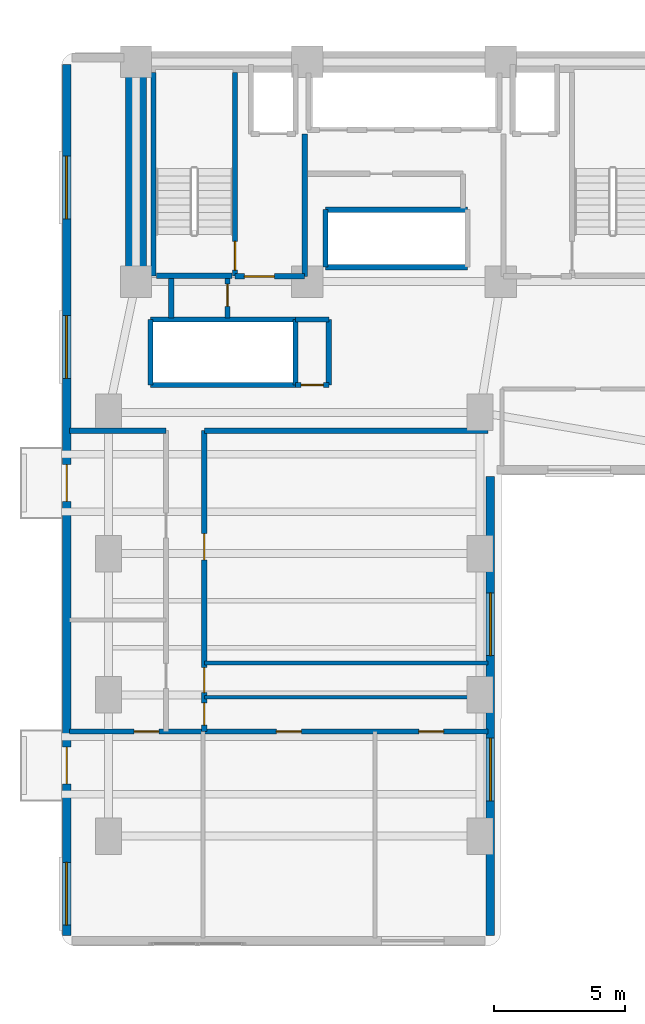
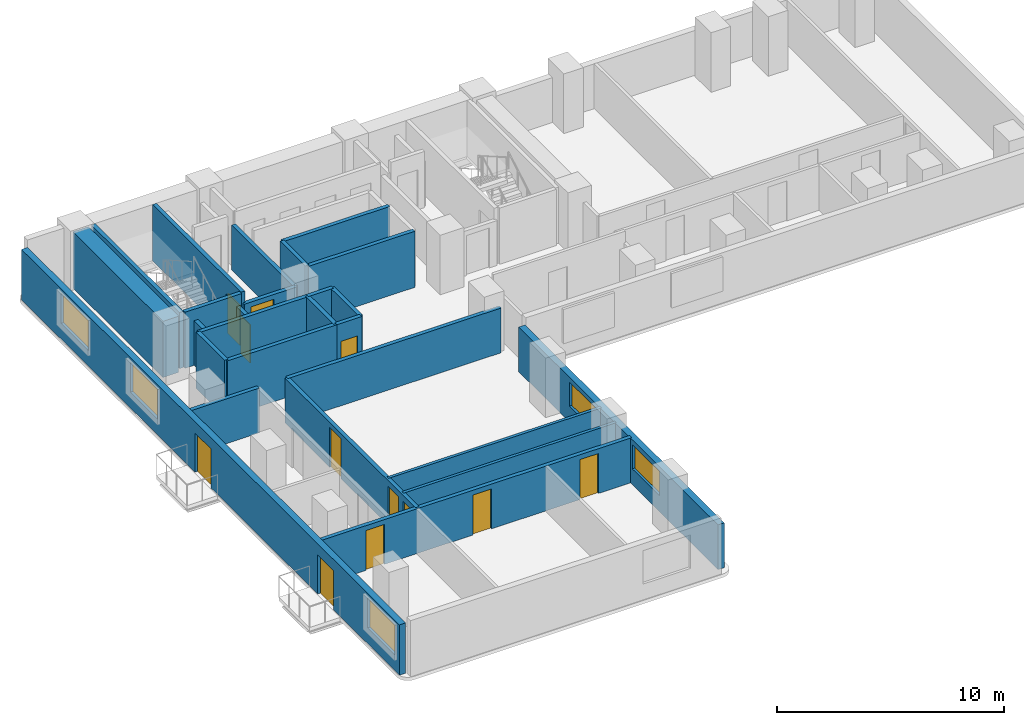
# One storey, part 9 of 15: 26 walls, 12 doors, 5 windows, 17 openings.
"""IFC4 building model written with IfcOpenShell, lengths in metres."""

from ifc_helpers import new_model, si_unit, direction, frame, frame_2d, origin, place, context, subcontext, project, spatial, rectangle, extrude, material, layer, layer_set, type_object, element, fill, save


model = new_model("IFC4")

# Units and contexts
model_context = context("Model", 3, precision=1e-05, world=origin(), true_north=direction((0.0, 1.0)))
body_context = subcontext(model_context, "Body", "Model", "MODEL_VIEW")
ifc_project = project(units=[si_unit("LENGTHUNIT", "METRE"), si_unit("AREAUNIT", "SQUARE_METRE"), si_unit("VOLUMEUNIT", "CUBIC_METRE"), si_unit("PLANEANGLEUNIT", "RADIAN"), si_unit("MASSUNIT", "GRAM", prefix="KILO")], contexts=[model_context])

# Site, building, storey
site_placement = place(None, origin())
site = spatial("IfcSite", under=ifc_project, at=site_placement, CompositionType="ELEMENT")
building_placement = place(site_placement, origin())
building = spatial("IfcBuilding", under=site, at=building_placement, Name="Kuzgunbayir Cultural Tower", CompositionType="ELEMENT")
storey_placement = place(building_placement, frame((0.0, 0.0, 59.60009765625)))
storey = spatial("IfcBuildingStorey", under=building, at=storey_placement, Name="L16", CompositionType="ELEMENT", Elevation=59.60009765625)

# Wall
ifc_material_1 = material(Name="Concrete C60/75", Category="concrete")
ifc_layer_1 = layer(ifc_material_1, 0.800048828125)
ifc_layer_set_1 = layer_set([ifc_layer_1], Name="Concrete C60/75")
wall_type_1 = type_object("IfcWallType", Name="WAL-CORE-800", PredefinedType="SHEAR", material=ifc_layer_set_1)
wall_1_placement = place(storey_placement, frame((6.449951171875, 33.800048828125, 0.0), z_axis=(0.0, 0.0, 1.0), x_axis=(0.0, 1.0, 0.0)))
element("IfcWall", 1, at=wall_1_placement, inside=storey, type_object=wall_type_1, Name="L16 T1 Core West Shear Wall", PredefinedType="SHEAR", context=body_context, shape_type="SweptSolid", body=[
    extrude(rectangle(XDim=7.949951171875, YDim=0.800048828125, at=frame_2d((3.97509765625, 0.0))), origin(), (0.0, 0.0, 1.0), 3.02001953125),
])

# Wall, openings, doors, windows
ifc_material_2 = material(Name="Travertine Buff Ashlar", Category="masonry")
ifc_layer_2 = layer(ifc_material_2, 0.320068359375)
ifc_layer_set_2 = layer_set([ifc_layer_2], Name="Travertine Buff Ashlar")
wall_type_2 = type_object("IfcWallType", Name="WAL-EXT-STONE-320", PredefinedType="STANDARD", material=ifc_layer_set_2)
wall_2_placement = place(storey_placement, frame((3.800048828125, 42.10009765625, 0.0), z_axis=(0.0, 0.0, 1.0), x_axis=(0.0, -1.0, 0.0)))
wall_2 = element("IfcWall", 2, at=wall_2_placement, inside=storey, type_object=wall_type_2, Name="L16 Wing A West Limestone Wall", PredefinedType="STANDARD", context=body_context, shape_type="SweptSolid", body=[
    extrude(rectangle(XDim=33.300048828125, YDim=0.320068359375, at=frame_2d((16.64990234375, 0.0))), origin(), (0.0, 0.0, 1.0), 2.699951171875),
])
opening_1_placement = place(wall_2_placement, frame((26.10009765625, 0.0, 0.0)))
opening_1 = element("IfcOpeningElement", 3, at=opening_1_placement, cuts=wall_2, Name="Opening BD-15", PredefinedType="OPENING", context=body_context, shape_type="SweptSolid", body=[
    extrude(rectangle(XDim=1.39990234375, YDim=2.10009765625, at=frame_2d((0.699951171875, 1.050048828125))), frame((0.0, 0.169921875, 0.0), z_axis=(0.0, -1.0, 0.0), x_axis=(1.0, 0.0, 0.0)), (0.0, 0.0, 1.0), 0.340087890625),
])
opening_2_placement = place(wall_2_placement, frame((15.300048828125, 0.0, 0.0)))
opening_2 = element("IfcOpeningElement", 4, at=opening_2_placement, cuts=wall_2, Name="Opening BD-15", PredefinedType="OPENING", context=body_context, shape_type="SweptSolid", body=[
    extrude(rectangle(XDim=1.39990234375, YDim=2.10009765625, at=frame_2d((0.699951171875, 1.050048828125))), frame((0.0, 0.169921875, 0.0), z_axis=(0.0, -1.0, 0.0), x_axis=(1.0, 0.0, 0.0)), (0.0, 0.0, 1.0), 0.340087890625),
])
opening_3_placement = place(wall_2_placement, frame((30.5, 0.0, 0.85009765625)))
opening_3 = element("IfcOpeningElement", 5, at=opening_3_placement, cuts=wall_2, Name="Opening WO-24", PredefinedType="OPENING", context=body_context, shape_type="SweptSolid", body=[
    extrude(rectangle(XDim=2.39990234375, YDim=1.60009765625, at=frame_2d((1.199951171875, 0.800048828125))), frame((0.0, 0.169921875, 0.0), z_axis=(0.0, -1.0, 0.0), x_axis=(1.0, 0.0, 0.0)), (0.0, 0.0, 1.0), 0.340087890625),
])
opening_4_placement = place(wall_2_placement, frame((9.60009765625, 0.0, 0.85009765625)))
opening_4 = element("IfcOpeningElement", 6, at=opening_4_placement, cuts=wall_2, Name="Opening WO-24", PredefinedType="OPENING", context=body_context, shape_type="SweptSolid", body=[
    extrude(rectangle(XDim=2.39990234375, YDim=1.60009765625, at=frame_2d((1.199951171875, 0.800048828125))), frame((0.0, 0.169921875, 0.0), z_axis=(0.0, -1.0, 0.0), x_axis=(1.0, 0.0, 0.0)), (0.0, 0.0, 1.0), 0.340087890625),
])
opening_5_placement = place(wall_2_placement, frame((3.5, 0.0, 0.85009765625)))
opening_5 = element("IfcOpeningElement", 7, at=opening_5_placement, cuts=wall_2, Name="Opening WO-24", PredefinedType="OPENING", context=body_context, shape_type="SweptSolid", body=[
    extrude(rectangle(XDim=2.39990234375, YDim=1.60009765625, at=frame_2d((1.199951171875, 0.800048828125))), frame((0.0, 0.169921875, 0.0), z_axis=(0.0, -1.0, 0.0), x_axis=(1.0, 0.0, 0.0)), (0.0, 0.0, 1.0), 0.340087890625),
])
ifc_material_3 = material(Name="Thermally Broken Glazed Aluminium", Category="aluminium")
door_type_1 = type_object("IfcDoorType", Name="DR-BALCONY-150", OperationType="SLIDING_TO_RIGHT", PredefinedType="DOOR", material=ifc_material_3)
door_1_placement = place(opening_1_placement, origin())
door_1 = element("IfcDoor", 8, at=door_1_placement, inside=storey, type_object=door_type_1, Name="L16 West Balcony Sliding Door BAL-L16-WA1", OperationType="SLIDING_TO_RIGHT", OverallHeight=2.10009765625, OverallWidth=1.39990234375, PredefinedType="DOOR", context=body_context, shape_type="SweptSolid", body=[
    extrude(rectangle(XDim=1.39990234375, YDim=2.10009765625, at=frame_2d((0.699951171875, 1.050048828125))), frame((0.0, 0.02490234375, 0.0), z_axis=(0.0, -1.0, 0.0), x_axis=(1.0, 0.0, 0.0)), (0.0, 0.0, 1.0), 0.050048828125),
])
fill(opening_1, door_1)
door_2_placement = place(opening_2_placement, origin())
door_2 = element("IfcDoor", 9, at=door_2_placement, inside=storey, type_object=door_type_1, Name="L16 West Balcony Sliding Door BAL-L16-WA3", OperationType="SLIDING_TO_RIGHT", OverallHeight=2.10009765625, OverallWidth=1.39990234375, PredefinedType="DOOR", context=body_context, shape_type="SweptSolid", body=[
    extrude(rectangle(XDim=1.39990234375, YDim=2.10009765625, at=frame_2d((0.699951171875, 1.050048828125))), frame((0.0, 0.02490234375, 0.0), z_axis=(0.0, -1.0, 0.0), x_axis=(1.0, 0.0, 0.0)), (0.0, 0.0, 1.0), 0.050048828125),
])
fill(opening_2, door_2)
ifc_material_4 = material(Name="Solar-Control Triple Glazing", Category="glass")
window_type = type_object("IfcWindowType", Name="WIN-OFFICE-24", PartitioningType="SINGLE_PANEL", PredefinedType="WINDOW", material=ifc_material_4)
window_1_placement = place(opening_3_placement, origin())
window_1 = element("IfcWindow", 10, at=window_1_placement, inside=storey, type_object=window_type, Name="L16 WAW Facade Window 1", OverallHeight=1.60009765625, OverallWidth=2.39990234375, PartitioningType="SINGLE_PANEL", PredefinedType="WINDOW", context=body_context, shape_type="SweptSolid", body=[
    extrude(rectangle(XDim=2.39990234375, YDim=1.60009765625, at=frame_2d((1.199951171875, 0.800048828125))), frame((0.0, 0.030029296875, 0.0), z_axis=(0.0, -1.0, 0.0), x_axis=(1.0, 0.0, 0.0)), (0.0, 0.0, 1.0), 0.06005859375),
])
fill(opening_3, window_1)
window_2_placement = place(opening_4_placement, origin())
window_2 = element("IfcWindow", 11, at=window_2_placement, inside=storey, type_object=window_type, Name="L16 WAW Facade Window 2", OverallHeight=1.60009765625, OverallWidth=2.39990234375, PartitioningType="SINGLE_PANEL", PredefinedType="WINDOW", context=body_context, shape_type="SweptSolid", body=[
    extrude(rectangle(XDim=2.39990234375, YDim=1.60009765625, at=frame_2d((1.199951171875, 0.800048828125))), frame((0.0, 0.030029296875, 0.0), z_axis=(0.0, -1.0, 0.0), x_axis=(1.0, 0.0, 0.0)), (0.0, 0.0, 1.0), 0.06005859375),
])
fill(opening_4, window_2)
window_3_placement = place(opening_5_placement, origin())
window_3 = element("IfcWindow", 12, at=window_3_placement, inside=storey, type_object=window_type, Name="L16 WAW Facade Window 3", OverallHeight=1.60009765625, OverallWidth=2.39990234375, PartitioningType="SINGLE_PANEL", PredefinedType="WINDOW", context=body_context, shape_type="SweptSolid", body=[
    extrude(rectangle(XDim=2.39990234375, YDim=1.60009765625, at=frame_2d((1.199951171875, 0.800048828125))), frame((0.0, 0.030029296875, 0.0), z_axis=(0.0, -1.0, 0.0), x_axis=(1.0, 0.0, 0.0)), (0.0, 0.0, 1.0), 0.06005859375),
])
fill(opening_5, window_3)

# Wall, openings, windows
wall_3_placement = place(storey_placement, frame((20.0, 8.800048828125, 0.0), z_axis=(0.0, 0.0, 1.0), x_axis=(0.0, 1.0, 0.0)))
wall_3 = element("IfcWall", 13, at=wall_3_placement, inside=storey, type_object=wall_type_2, Name="L16 Wing A East Limestone Wall", PredefinedType="STANDARD", context=body_context, shape_type="SweptSolid", body=[
    extrude(rectangle(XDim=17.550048828125, YDim=0.320068359375, at=frame_2d((8.77490234375, 0.0))), origin(), (0.0, 0.0, 1.0), 2.409912109375),
])
opening_6_placement = place(wall_3_placement, frame((5.14990234375, 0.0, 0.85009765625)))
opening_6 = element("IfcOpeningElement", 14, at=opening_6_placement, cuts=wall_3, Name="Opening WO-24", PredefinedType="OPENING", context=body_context, shape_type="SweptSolid", body=[
    extrude(rectangle(XDim=2.39990234375, YDim=1.31005859375, at=frame_2d((1.199951171875, 0.655029296875))), frame((0.0, 0.169921875, 0.0), z_axis=(0.0, -1.0, 0.0), x_axis=(1.0, 0.0, 0.0)), (0.0, 0.0, 1.0), 0.340087890625),
])
opening_7_placement = place(wall_3_placement, frame((10.699951171875, 0.0, 0.85009765625)))
opening_7 = element("IfcOpeningElement", 15, at=opening_7_placement, cuts=wall_3, Name="Opening WO-24", PredefinedType="OPENING", context=body_context, shape_type="SweptSolid", body=[
    extrude(rectangle(XDim=2.39990234375, YDim=1.31005859375, at=frame_2d((1.199951171875, 0.655029296875))), frame((0.0, 0.169921875, 0.0), z_axis=(0.0, -1.0, 0.0), x_axis=(1.0, 0.0, 0.0)), (0.0, 0.0, 1.0), 0.340087890625),
])
window_4_placement = place(opening_6_placement, origin())
window_4 = element("IfcWindow", 16, at=window_4_placement, inside=storey, type_object=window_type, Name="L16 WAE Facade Window 4", OverallHeight=1.31005859375, OverallWidth=2.39990234375, PartitioningType="SINGLE_PANEL", PredefinedType="WINDOW", context=body_context, shape_type="SweptSolid", body=[
    extrude(rectangle(XDim=2.39990234375, YDim=1.31005859375, at=frame_2d((1.199951171875, 0.655029296875))), frame((0.0, 0.030029296875, 0.0), z_axis=(0.0, -1.0, 0.0), x_axis=(1.0, 0.0, 0.0)), (0.0, 0.0, 1.0), 0.06005859375),
])
fill(opening_6, window_4)
window_5_placement = place(opening_7_placement, origin())
window_5 = element("IfcWindow", 17, at=window_5_placement, inside=storey, type_object=window_type, Name="L16 WAE Facade Window 5", OverallHeight=1.31005859375, OverallWidth=2.39990234375, PartitioningType="SINGLE_PANEL", PredefinedType="WINDOW", context=body_context, shape_type="SweptSolid", body=[
    extrude(rectangle(XDim=2.39990234375, YDim=1.31005859375, at=frame_2d((1.199951171875, 0.655029296875))), frame((0.0, 0.030029296875, 0.0), z_axis=(0.0, -1.0, 0.0), x_axis=(1.0, 0.0, 0.0)), (0.0, 0.0, 1.0), 0.06005859375),
])
fill(opening_7, window_5)

# Wall
ifc_material_5 = material(Name="Aerated Concrete Blockwork", Category="masonry")
ifc_layer_3 = layer(ifc_material_5, 0.199951171875)
ifc_layer_set_3 = layer_set([ifc_layer_3], Name="Aerated Concrete Blockwork")
wall_type_3 = type_object("IfcWallType", Name="WAL-PART-FIRE-200", PredefinedType="PARTITIONING", material=ifc_layer_set_3)
wall_4_placement = place(storey_placement, frame((12.89990234375, 34.0, 0.0), z_axis=(0.0, 0.0, 1.0), x_axis=(0.0, 1.0, 0.0)))
element("IfcWall", 18, at=wall_4_placement, inside=storey, type_object=wall_type_3, Name="L16 FFL-1 Lobby East Fire Wall", PredefinedType="PARTITIONING", context=body_context, shape_type="SweptSolid", body=[
    extrude(rectangle(XDim=5.449951171875, YDim=0.199951171875, at=frame_2d((2.72509765625, 0.0))), origin(), (0.0, 0.0, 1.0), 2.409912109375),
])

# Wall, opening, door
wall_5_placement = place(storey_placement, frame((10.239990234375, 34.0, 0.0), z_axis=(0.0, 0.0, 1.0), x_axis=(1.0, 0.0, 0.0)))
wall_5 = element("IfcWall", 19, at=wall_5_placement, inside=storey, type_object=wall_type_3, Name="L16 FFL-1 Lobby South Fire Wall", PredefinedType="PARTITIONING", context=body_context, shape_type="SweptSolid", body=[
    extrude(rectangle(XDim=2.659912109375, YDim=0.199951171875, at=frame_2d((1.330078125, 0.0))), origin(), (0.0, 0.0, 1.0), 2.409912109375),
])
opening_8_placement = place(wall_5_placement, frame((0.35009765625, 0.0, 0.0)))
opening_8 = element("IfcOpeningElement", 20, at=opening_8_placement, cuts=wall_5, Name="Opening DR-FFL-90", PredefinedType="OPENING", context=body_context, shape_type="SweptSolid", body=[
    extrude(rectangle(XDim=1.14990234375, YDim=2.14990234375, at=frame_2d((0.574951171875, 1.074951171875))), frame((0.0, 0.10986328125, 0.0), z_axis=(0.0, -1.0, 0.0), x_axis=(1.0, 0.0, 0.0)), (0.0, 0.0, 1.0), 0.219970703125),
])
ifc_material_6 = material(Name="Steel S355J2", Category="steel")
door_type_2 = type_object("IfcDoorType", Name="DR-FFL-90", OperationType="NOTDEFINED", PredefinedType="DOOR", material=ifc_material_6)
door_3_placement = place(opening_8_placement, origin())
door_3 = element("IfcDoor", 21, at=door_3_placement, inside=storey, type_object=door_type_2, Name="L16 Firefighting Lobby 1 Door", OperationType="SINGLE_SWING_LEFT", OverallHeight=2.14990234375, OverallWidth=1.14990234375, PredefinedType="DOOR", context=body_context, shape_type="SweptSolid", body=[
    extrude(rectangle(XDim=1.14990234375, YDim=2.14990234375, at=frame_2d((0.574951171875, 1.074951171875))), frame((0.0, 0.02490234375, 0.0), z_axis=(0.0, -1.0, 0.0), x_axis=(1.0, 0.0, 0.0)), (0.0, 0.0, 1.0), 0.050048828125),
])
fill(opening_8, door_3)

wall_6_placement = place(storey_placement, frame((12.550048828125, 29.85009765625, 0.0), z_axis=(0.0, 0.0, 1.0), x_axis=(1.0, 0.0, 0.0)))
wall_6 = element("IfcWall", 22, at=wall_6_placement, inside=storey, type_object=wall_type_3, Name="L16 Center Core Switchgear South Wall", PredefinedType="PARTITIONING", context=body_context, shape_type="SweptSolid", body=[
    extrude(rectangle(XDim=1.27001953125, YDim=0.199951171875, at=frame_2d((0.635009765625, 0.0))), origin(), (0.0, 0.0, 1.0), 3.02001953125),
])
opening_9_placement = place(wall_6_placement, frame((0.2099609375, 0.0, 0.0)))
opening_9 = element("IfcOpeningElement", 23, at=opening_9_placement, cuts=wall_6, Name="Opening DR-RSR-60", PredefinedType="OPENING", context=body_context, shape_type="SweptSolid", body=[
    extrude(rectangle(XDim=0.85009765625, YDim=2.050048828125, at=frame_2d((0.425048828125, 1.02490234375))), frame((0.0, 0.10986328125, 0.0), z_axis=(0.0, -1.0, 0.0), x_axis=(1.0, 0.0, 0.0)), (0.0, 0.0, 1.0), 0.219970703125),
])
ifc_material_7 = material(Name="Steel Access Leaf", Category="steel")
door_type_3 = type_object("IfcDoorType", Name="DR-RISER-60", OperationType="NOTDEFINED", PredefinedType="DOOR", material=ifc_material_7)
door_4_placement = place(opening_9_placement, origin())
door_4 = element("IfcDoor", 24, at=door_4_placement, inside=storey, type_object=door_type_3, Name="L16 Electrical Switchgear Closet Door", OperationType="SINGLE_SWING_LEFT", OverallHeight=2.050048828125, OverallWidth=0.85009765625, PredefinedType="DOOR", context=body_context, shape_type="SweptSolid", body=[
    extrude(rectangle(XDim=0.85009765625, YDim=2.050048828125, at=frame_2d((0.425048828125, 1.02490234375))), frame((0.0, 0.02490234375, 0.0), z_axis=(0.0, -1.0, 0.0), x_axis=(1.0, 0.0, 0.0)), (0.0, 0.0, 1.0), 0.050048828125),
])
fill(opening_9, door_4)

# Walls
wall_7_placement = place(storey_placement, frame((13.820068359375, 29.85009765625, 0.0), z_axis=(0.0, 0.0, 1.0), x_axis=(0.0, 1.0, 0.0)))
element("IfcWall", 25, at=wall_7_placement, inside=storey, type_object=wall_type_3, Name="L16 Center Core Switchgear East Wall", PredefinedType="PARTITIONING", context=body_context, shape_type="SweptSolid", body=[
    extrude(rectangle(XDim=2.5, YDim=0.199951171875, at=frame_2d((1.25, 0.0))), origin(), (0.0, 0.0, 1.0), 3.02001953125),
])
wall_8_placement = place(storey_placement, frame((12.550048828125, 32.35009765625, 0.0), z_axis=(0.0, 0.0, 1.0), x_axis=(1.0, 0.0, 0.0)))
element("IfcWall", 26, at=wall_8_placement, inside=storey, type_object=wall_type_3, Name="L16 Center Core Switchgear North Wall", PredefinedType="PARTITIONING", context=body_context, shape_type="SweptSolid", body=[
    extrude(rectangle(XDim=1.27001953125, YDim=0.199951171875, at=frame_2d((0.635009765625, 0.0))), origin(), (0.0, 0.0, 1.0), 3.02001953125),
])
wall_9_placement = place(storey_placement, frame((7.800048828125, 32.39990234375, 0.0), z_axis=(0.0, 0.0, 1.0), x_axis=(0.0, 1.0, 0.0)))
element("IfcWall", 27, at=wall_9_placement, inside=storey, type_object=wall_type_3, Name="L16 West Core Electrical Closet West Wall", PredefinedType="PARTITIONING", context=body_context, shape_type="SweptSolid", body=[
    extrude(rectangle(XDim=1.52001953125, YDim=0.199951171875, at=frame_2d((0.760009765625, 0.0))), origin(), (0.0, 0.0, 1.0), 2.409912109375),
])

# Wall, opening, door
wall_10_placement = place(storey_placement, frame((9.949951171875, 32.39990234375, 0.0), z_axis=(0.0, 0.0, 1.0), x_axis=(0.0, 1.0, 0.0)))
wall_10 = element("IfcWall", 28, at=wall_10_placement, inside=storey, type_object=wall_type_3, Name="L16 West Core Electrical Closet East Wall", PredefinedType="PARTITIONING", context=body_context, shape_type="SweptSolid", body=[
    extrude(rectangle(XDim=1.52001953125, YDim=0.199951171875, at=frame_2d((0.760009765625, 0.0))), origin(), (0.0, 0.0, 1.0), 2.409912109375),
])
opening_10_placement = place(wall_10_placement, frame((0.449951171875, 0.0, 0.0)))
opening_10 = element("IfcOpeningElement", 29, at=opening_10_placement, cuts=wall_10, Name="Opening DR-RSR-60", PredefinedType="OPENING", context=body_context, shape_type="SweptSolid", body=[
    extrude(rectangle(XDim=0.85009765625, YDim=2.050048828125, at=frame_2d((0.425048828125, 1.02490234375))), frame((0.0, 0.10986328125, 0.0), z_axis=(0.0, -1.0, 0.0), x_axis=(1.0, 0.0, 0.0)), (0.0, 0.0, 1.0), 0.219970703125),
])
door_5_placement = place(opening_10_placement, origin())
door_5 = element("IfcDoor", 30, at=door_5_placement, inside=storey, type_object=door_type_3, Name="L16 West Core Switchgear Closet Door", OperationType="SINGLE_SWING_RIGHT", OverallHeight=2.050048828125, OverallWidth=0.85009765625, PredefinedType="DOOR", context=body_context, shape_type="SweptSolid", body=[
    extrude(rectangle(XDim=0.85009765625, YDim=2.050048828125, at=frame_2d((0.425048828125, 1.02490234375))), frame((0.0, 0.02490234375, 0.0), z_axis=(0.0, -1.0, 0.0), x_axis=(1.0, 0.0, 0.0)), (0.0, 0.0, 1.0), 0.050048828125),
])
fill(opening_10, door_5)

# Wall, openings, doors
wall_11_placement = place(storey_placement, frame((9.06005859375, 16.60009765625, 0.0), z_axis=(0.0, 0.0, 1.0), x_axis=(0.0, 1.0, 0.0)))
wall_11 = element("IfcWall", 31, at=wall_11_placement, inside=storey, type_object=wall_type_3, Name="L16 Wing A East Corridor Wall", PredefinedType="PARTITIONING", context=body_context, shape_type="SweptSolid", body=[
    extrude(rectangle(XDim=11.5, YDim=0.199951171875, at=frame_2d((5.75, 0.0))), origin(), (0.0, 0.0, 1.0), 2.409912109375),
])
opening_11_placement = place(wall_11_placement, frame((0.239990234375, 0.0, 0.0)))
opening_11 = element("IfcOpeningElement", 32, at=opening_11_placement, cuts=wall_11, Name="Opening DW-85", PredefinedType="OPENING", context=body_context, shape_type="SweptSolid", body=[
    extrude(rectangle(XDim=0.85009765625, YDim=2.10009765625, at=frame_2d((0.425048828125, 1.050048828125))), frame((0.0, 0.10986328125, 0.0), z_axis=(0.0, -1.0, 0.0), x_axis=(1.0, 0.0, 0.0)), (0.0, 0.0, 1.0), 0.219970703125),
])
opening_12_placement = place(wall_11_placement, frame((1.489990234375, 0.0, 0.0)))
opening_12 = element("IfcOpeningElement", 33, at=opening_12_placement, cuts=wall_11, Name="Opening DW-95", PredefinedType="OPENING", context=body_context, shape_type="SweptSolid", body=[
    extrude(rectangle(XDim=0.949951171875, YDim=2.10009765625, at=frame_2d((0.47509765625, 1.050048828125))), frame((0.0, 0.10986328125, 0.0), z_axis=(0.0, -1.0, 0.0), x_axis=(1.0, 0.0, 0.0)), (0.0, 0.0, 1.0), 0.219970703125),
])
opening_13_placement = place(wall_11_placement, frame((6.56005859375, 0.0, 0.0)))
opening_13 = element("IfcOpeningElement", 34, at=opening_13_placement, cuts=wall_11, Name="Opening DI-100", PredefinedType="OPENING", context=body_context, shape_type="SweptSolid", body=[
    extrude(rectangle(XDim=1.0, YDim=2.14990234375, at=frame_2d((0.5, 1.074951171875))), frame((0.0, 0.10986328125, 0.0), z_axis=(0.0, -1.0, 0.0), x_axis=(1.0, 0.0, 0.0)), (0.0, 0.0, 1.0), 0.219970703125),
])
ifc_material_8 = material(Name="Veneered Oak Single Leaf", Category="wood")
door_type_4 = type_object("IfcDoorType", Name="DR-INT-100", OperationType="NOTDEFINED", PredefinedType="DOOR", material=ifc_material_8)
door_6_placement = place(opening_13_placement, origin())
door_6 = element("IfcDoor", 35, at=door_6_placement, inside=storey, type_object=door_type_4, Name="L16 East Fellows Reading Lounge 1 Door", OperationType="SINGLE_SWING_RIGHT", OverallHeight=2.14990234375, OverallWidth=1.0, PredefinedType="DOOR", context=body_context, shape_type="SweptSolid", body=[
    extrude(rectangle(XDim=1.0, YDim=2.14990234375, at=frame_2d((0.5, 1.074951171875))), frame((0.0, 0.02490234375, 0.0), z_axis=(0.0, -1.0, 0.0), x_axis=(1.0, 0.0, 0.0)), (0.0, 0.0, 1.0), 0.050048828125),
])
fill(opening_13, door_6)
ifc_material_9 = material(Name="Laminate Moisture-Resistant Leaf", Category="wood")
door_type_5 = type_object("IfcDoorType", Name="DR-WET-85", OperationType="NOTDEFINED", PredefinedType="DOOR", material=ifc_material_9)
door_7_placement = place(opening_11_placement, origin())
door_7 = element("IfcDoor", 36, at=door_7_placement, inside=storey, type_object=door_type_5, Name="L16 Restroom Door", OperationType="SINGLE_SWING_RIGHT", OverallHeight=2.10009765625, OverallWidth=0.85009765625, PredefinedType="DOOR", context=body_context, shape_type="SweptSolid", body=[
    extrude(rectangle(XDim=0.85009765625, YDim=2.10009765625, at=frame_2d((0.425048828125, 1.050048828125))), frame((0.0, 0.02490234375, 0.0), z_axis=(0.0, -1.0, 0.0), x_axis=(1.0, 0.0, 0.0)), (0.0, 0.0, 1.0), 0.050048828125),
])
fill(opening_11, door_7)
door_type_6 = type_object("IfcDoorType", Name="DR-WET-95", OperationType="NOTDEFINED", PredefinedType="DOOR", material=ifc_material_9)
door_8_placement = place(opening_12_placement, origin())
door_8 = element("IfcDoor", 37, at=door_8_placement, inside=storey, type_object=door_type_6, Name="L16 Accessible WC Door", OperationType="SINGLE_SWING_LEFT", OverallHeight=2.10009765625, OverallWidth=0.949951171875, PredefinedType="DOOR", context=body_context, shape_type="SweptSolid", body=[
    extrude(rectangle(XDim=0.949951171875, YDim=2.10009765625, at=frame_2d((0.47509765625, 1.050048828125))), frame((0.0, 0.02490234375, 0.0), z_axis=(0.0, -1.0, 0.0), x_axis=(1.0, 0.0, 0.0)), (0.0, 0.0, 1.0), 0.050048828125),
])
fill(opening_12, door_8)

wall_12_placement = place(storey_placement, frame((3.89990234375, 16.60009765625, 0.0), z_axis=(0.0, 0.0, 1.0), x_axis=(1.0, 0.0, 0.0)))
wall_12 = element("IfcWall", 38, at=wall_12_placement, inside=storey, type_object=wall_type_3, Name="L16 South Cross Partition", PredefinedType="PARTITIONING", context=body_context, shape_type="SweptSolid", body=[
    extrude(rectangle(XDim=16.0, YDim=0.199951171875, at=frame_2d((8.0, 0.0))), origin(), (0.0, 0.0, 1.0), 2.409912109375),
])
opening_14_placement = place(wall_12_placement, frame((2.47998046875, 0.0, 0.0)))
opening_14 = element("IfcOpeningElement", 39, at=opening_14_placement, cuts=wall_12, Name="Opening DI-90", PredefinedType="OPENING", context=body_context, shape_type="SweptSolid", body=[
    extrude(rectangle(XDim=0.949951171875, YDim=2.14990234375, at=frame_2d((0.47509765625, 1.074951171875))), frame((0.0, 0.10986328125, 0.0), z_axis=(0.0, -1.0, 0.0), x_axis=(1.0, 0.0, 0.0)), (0.0, 0.0, 1.0), 0.219970703125),
])
opening_15_placement = place(wall_12_placement, frame((7.919921875, 0.0, 0.0)))
opening_15 = element("IfcOpeningElement", 40, at=opening_15_placement, cuts=wall_12, Name="Opening DI-90", PredefinedType="OPENING", context=body_context, shape_type="SweptSolid", body=[
    extrude(rectangle(XDim=0.949951171875, YDim=2.14990234375, at=frame_2d((0.47509765625, 1.074951171875))), frame((0.0, 0.10986328125, 0.0), z_axis=(0.0, -1.0, 0.0), x_axis=(1.0, 0.0, 0.0)), (0.0, 0.0, 1.0), 0.219970703125),
])
opening_16_placement = place(wall_12_placement, frame((13.360107421875, 0.0, 0.0)))
opening_16 = element("IfcOpeningElement", 41, at=opening_16_placement, cuts=wall_12, Name="Opening DI-90", PredefinedType="OPENING", context=body_context, shape_type="SweptSolid", body=[
    extrude(rectangle(XDim=0.949951171875, YDim=2.14990234375, at=frame_2d((0.47509765625, 1.074951171875))), frame((0.0, 0.10986328125, 0.0), z_axis=(0.0, -1.0, 0.0), x_axis=(1.0, 0.0, 0.0)), (0.0, 0.0, 1.0), 0.219970703125),
])
door_type_7 = type_object("IfcDoorType", Name="DR-INT-90", OperationType="NOTDEFINED", PredefinedType="DOOR", material=ifc_material_8)
door_9_placement = place(opening_14_placement, origin())
door_9 = element("IfcDoor", 42, at=door_9_placement, inside=storey, type_object=door_type_7, Name="L16 South Suite S1 Door", OperationType="SINGLE_SWING_LEFT", OverallHeight=2.14990234375, OverallWidth=0.949951171875, PredefinedType="DOOR", context=body_context, shape_type="SweptSolid", body=[
    extrude(rectangle(XDim=0.949951171875, YDim=2.14990234375, at=frame_2d((0.47509765625, 1.074951171875))), frame((0.0, 0.02490234375, 0.0), z_axis=(0.0, -1.0, 0.0), x_axis=(1.0, 0.0, 0.0)), (0.0, 0.0, 1.0), 0.050048828125),
])
fill(opening_14, door_9)
door_10_placement = place(opening_15_placement, origin())
door_10 = element("IfcDoor", 43, at=door_10_placement, inside=storey, type_object=door_type_7, Name="L16 South Suite S2 Door", OperationType="SINGLE_SWING_RIGHT", OverallHeight=2.14990234375, OverallWidth=0.949951171875, PredefinedType="DOOR", context=body_context, shape_type="SweptSolid", body=[
    extrude(rectangle(XDim=0.949951171875, YDim=2.14990234375, at=frame_2d((0.47509765625, 1.074951171875))), frame((0.0, 0.02490234375, 0.0), z_axis=(0.0, -1.0, 0.0), x_axis=(1.0, 0.0, 0.0)), (0.0, 0.0, 1.0), 0.050048828125),
])
fill(opening_15, door_10)
door_11_placement = place(opening_16_placement, origin())
door_11 = element("IfcDoor", 44, at=door_11_placement, inside=storey, type_object=door_type_7, Name="L16 South Suite S3 Door", OperationType="SINGLE_SWING_LEFT", OverallHeight=2.14990234375, OverallWidth=0.949951171875, PredefinedType="DOOR", context=body_context, shape_type="SweptSolid", body=[
    extrude(rectangle(XDim=0.949951171875, YDim=2.14990234375, at=frame_2d((0.47509765625, 1.074951171875))), frame((0.0, 0.02490234375, 0.0), z_axis=(0.0, -1.0, 0.0), x_axis=(1.0, 0.0, 0.0)), (0.0, 0.0, 1.0), 0.050048828125),
])
fill(opening_16, door_11)

# Walls
wall_13_placement = place(storey_placement, frame((3.89990234375, 28.10009765625, 0.0), z_axis=(0.0, 0.0, 1.0), x_axis=(1.0, 0.0, 0.0)))
element("IfcWall", 45, at=wall_13_placement, inside=storey, type_object=wall_type_3, Name="L16 North West Partition", PredefinedType="PARTITIONING", context=body_context, shape_type="SweptSolid", body=[
    extrude(rectangle(XDim=3.7001953125, YDim=0.199951171875, at=frame_2d((1.85009765625, 0.0))), origin(), (0.0, 0.0, 1.0), 2.409912109375),
])
wall_14_placement = place(storey_placement, frame((9.06005859375, 28.10009765625, 0.0), z_axis=(0.0, 0.0, 1.0), x_axis=(1.0, 0.0, 0.0)))
element("IfcWall", 46, at=wall_14_placement, inside=storey, type_object=wall_type_3, Name="L16 North East Partition", PredefinedType="PARTITIONING", context=body_context, shape_type="SweptSolid", body=[
    extrude(rectangle(XDim=10.83984375, YDim=0.199951171875, at=frame_2d((5.419921875, 0.0))), origin(), (0.0, 0.0, 1.0), 2.409912109375),
])
ifc_material_10 = material(Name="Moisture-Resistant Tile Partition", Category="gypsum")
ifc_layer_4 = layer(ifc_material_10, 0.14990234375)
ifc_layer_set_4 = layer_set([ifc_layer_4], Name="Moisture-Resistant Tile Partition")
wall_type_4 = type_object("IfcWallType", Name="WAL-PART-WET-150", PredefinedType="PARTITIONING", material=ifc_layer_set_4)
for number, where, z_axis, x_axis, name in (
    (47, (9.06005859375, 17.909912109375, 0.0), (0.0, 0.0, 1.0), (1.0, 0.0, 0.0), "L16 WC North Wall"),
    (48, (9.06005859375, 19.219970703125, 0.0), (0.0, 0.0, 1.0), (1.0, 0.0, 0.0), "L16 Accessible WC North Wall"),
):
    element("IfcWall", number, at=place(storey_placement, frame(where, z_axis=z_axis, x_axis=x_axis)), inside=storey, type_object=wall_type_4, Name=name, PredefinedType="PARTITIONING", context=body_context, shape_type="SweptSolid", body=[
        extrude(rectangle(XDim=10.83984375, YDim=0.14990234375, at=frame_2d((5.419921875, 0.0))), origin(), (0.0, 0.0, 1.0), 2.409912109375),
    ])
ifc_material_11 = material(Name="Concrete C40/50", Category="concrete")
ifc_layer_5 = layer(ifc_material_11, 0.199951171875)
ifc_layer_set_5 = layer_set([ifc_layer_5], Name="Concrete C40/50")
wall_type_5 = type_object("IfcWallType", Name="WAL-SHAFT-200", PredefinedType="MOVABLE", material=ifc_layer_set_5)
for number, where, z_axis, x_axis, name in (
    (49, (7.0, 29.85009765625, 0.0), (0.0, 0.0, 1.0), (1.0, 0.0, 0.0), "L16 High-Rise Lift Shaft South Wall"),
    (50, (7.0, 32.35009765625, 0.0), (0.0, 0.0, 1.0), (1.0, 0.0, 0.0), "L16 High-Rise Lift Shaft North Wall"),
):
    element("IfcWall", number, at=place(storey_placement, frame(where, z_axis=z_axis, x_axis=x_axis)), inside=storey, type_object=wall_type_5, Name=name, PredefinedType="MOVABLE", context=body_context, shape_type="SweptSolid", body=[
        extrude(rectangle(XDim=5.550048828125, YDim=0.199951171875, at=frame_2d((2.77490234375, 0.0))), origin(), (0.0, 0.0, 1.0), 3.02001953125),
    ])
for number, where, z_axis, x_axis, name in (
    (51, (7.0, 29.85009765625, 0.0), (0.0, 0.0, 1.0), (0.0, 1.0, 0.0), "L16 High-Rise Lift Shaft West Wall"),
    (52, (12.550048828125, 29.85009765625, 0.0), (0.0, 0.0, 1.0), (0.0, 1.0, 0.0), "L16 High-Rise Lift Shaft East Wall"),
):
    element("IfcWall", number, at=place(storey_placement, frame(where, z_axis=z_axis, x_axis=x_axis)), inside=storey, type_object=wall_type_5, Name=name, PredefinedType="MOVABLE", context=body_context, shape_type="SweptSolid", body=[
        extrude(rectangle(XDim=2.5, YDim=0.199951171875, at=frame_2d((1.25, 0.0))), origin(), (0.0, 0.0, 1.0), 3.02001953125),
    ])
for number, where, z_axis, x_axis, name in (
    (53, (13.699951171875, 34.35009765625, 0.0), (0.0, 0.0, 1.0), (1.0, 0.0, 0.0), "L16 Mid-Rise Lift Front Wall"),
    (54, (13.699951171875, 36.550048828125, 0.0), (0.0, 0.0, 1.0), (1.0, 0.0, 0.0), "L16 Mid-Rise Lift Shaft North Wall"),
):
    element("IfcWall", number, at=place(storey_placement, frame(where, z_axis=z_axis, x_axis=x_axis)), inside=storey, type_object=wall_type_5, Name=name, PredefinedType="MOVABLE", context=body_context, shape_type="SweptSolid", body=[
        extrude(rectangle(XDim=5.420166015625, YDim=0.199951171875, at=frame_2d((2.7099609375, 0.0))), origin(), (0.0, 0.0, 1.0), 3.02001953125),
    ])
wall_15_placement = place(storey_placement, frame((13.699951171875, 34.35009765625, 0.0), z_axis=(0.0, 0.0, 1.0), x_axis=(0.0, 1.0, 0.0)))
element("IfcWall", 55, at=wall_15_placement, inside=storey, type_object=wall_type_5, Name="L16 Mid-Rise Lift Shaft West Wall", PredefinedType="MOVABLE", context=body_context, shape_type="SweptSolid", body=[
    extrude(rectangle(XDim=2.199951171875, YDim=0.199951171875, at=frame_2d((1.10009765625, 0.0))), origin(), (0.0, 0.0, 1.0), 3.02001953125),
])
ifc_layer_6 = layer(ifc_material_11, 0.199951171875)
ifc_layer_set_6 = layer_set([ifc_layer_6], Name="Concrete C40/50")
wall_type_6 = type_object("IfcWallType", Name="WAL-STAIR-RC-200", PredefinedType="SHEAR", material=ifc_layer_set_6)
wall_16_placement = place(storey_placement, frame((7.1201171875, 34.02001953125, 0.0), z_axis=(0.0, 0.0, 1.0), x_axis=(0.0, 1.0, 0.0)))
element("IfcWall", 56, at=wall_16_placement, inside=storey, type_object=wall_type_6, Name="L16 Stair ST-1 West Structural Wall", PredefinedType="SHEAR", context=body_context, shape_type="SweptSolid", body=[
    extrude(rectangle(XDim=7.780029296875, YDim=0.199951171875, at=frame_2d((3.89013671875, 0.0))), origin(), (0.0, 0.0, 1.0), 3.02001953125),
])

# Wall, opening, door
wall_17_placement = place(storey_placement, frame((10.239990234375, 34.02001953125, 0.0), z_axis=(0.0, 0.0, 1.0), x_axis=(0.0, 1.0, 0.0)))
wall_17 = element("IfcWall", 57, at=wall_17_placement, inside=storey, type_object=wall_type_6, Name="L16 Stair ST-1 East Structural Wall", PredefinedType="SHEAR", context=body_context, shape_type="SweptSolid", body=[
    extrude(rectangle(XDim=7.780029296875, YDim=0.199951171875, at=frame_2d((3.89013671875, 0.0))), origin(), (0.0, 0.0, 1.0), 3.02001953125),
])
opening_17_placement = place(wall_17_placement, frame((0.219970703125, 0.0, 0.0)))
opening_17 = element("IfcOpeningElement", 58, at=opening_17_placement, cuts=wall_17, Name="Opening DR-STAIR-90", PredefinedType="OPENING", context=body_context, shape_type="SweptSolid", body=[
    extrude(rectangle(XDim=1.10009765625, YDim=2.14990234375, at=frame_2d((0.550048828125, 1.074951171875))), frame((0.0, 0.10986328125, 0.0), z_axis=(0.0, -1.0, 0.0), x_axis=(1.0, 0.0, 0.0)), (0.0, 0.0, 1.0), 0.219970703125),
])
door_type_8 = type_object("IfcDoorType", Name="DR-STAIR-90", OperationType="NOTDEFINED", PredefinedType="DOOR", material=ifc_material_6)
door_12_placement = place(opening_17_placement, origin())
door_12 = element("IfcDoor", 59, at=door_12_placement, inside=storey, type_object=door_type_8, Name="L16 Stair ST-1 Fire Door", OperationType="SINGLE_SWING_RIGHT", OverallHeight=2.14990234375, OverallWidth=1.10009765625, PredefinedType="DOOR", context=body_context, shape_type="SweptSolid", body=[
    extrude(rectangle(XDim=1.10009765625, YDim=2.14990234375, at=frame_2d((0.550048828125, 1.074951171875))), frame((0.0, 0.02490234375, 0.0), z_axis=(0.0, -1.0, 0.0), x_axis=(1.0, 0.0, 0.0)), (0.0, 0.0, 1.0), 0.050048828125),
])
fill(opening_17, door_12)

# Wall
wall_18_placement = place(storey_placement, frame((7.239990234375, 34.02001953125, 0.0), z_axis=(0.0, 0.0, 1.0), x_axis=(1.0, 0.0, 0.0)))
element("IfcWall", 60, at=wall_18_placement, inside=storey, type_object=wall_type_6, Name="L16 Stair ST-1 South Structural Wall", PredefinedType="SHEAR", context=body_context, shape_type="SweptSolid", body=[
    extrude(rectangle(XDim=2.880126953125, YDim=0.199951171875, at=frame_2d((1.43994140625, 0.0))), origin(), (0.0, 0.0, 1.0), 3.02001953125),
])

save(model, "model.ifc")
